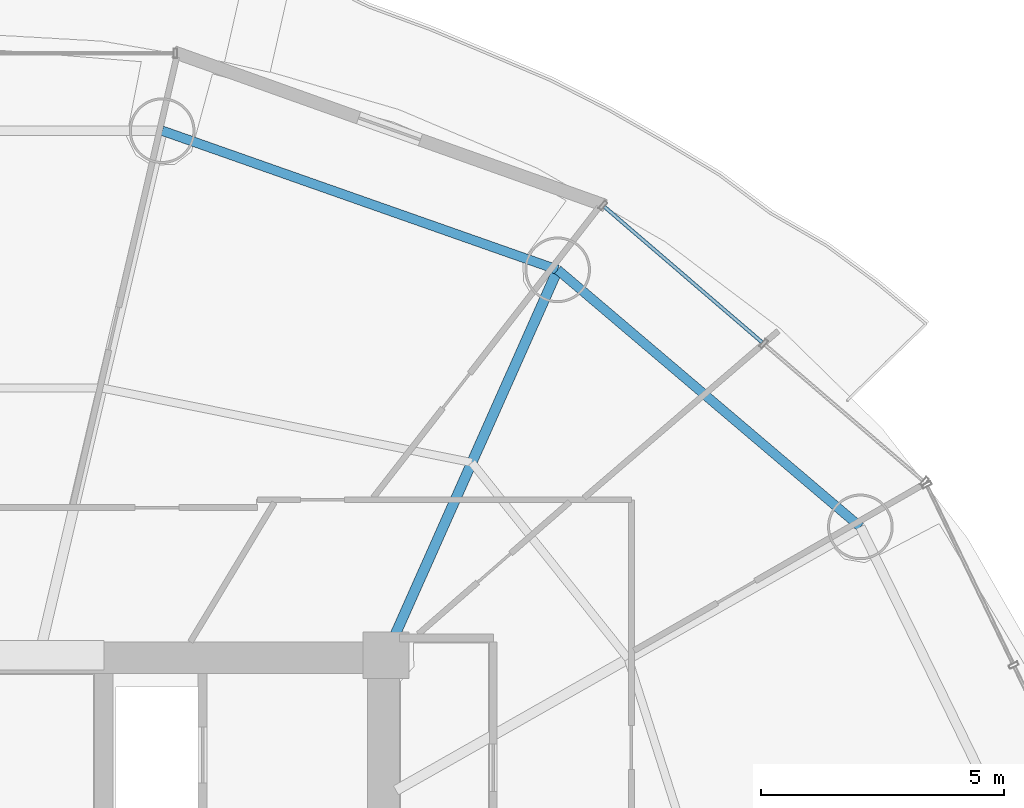
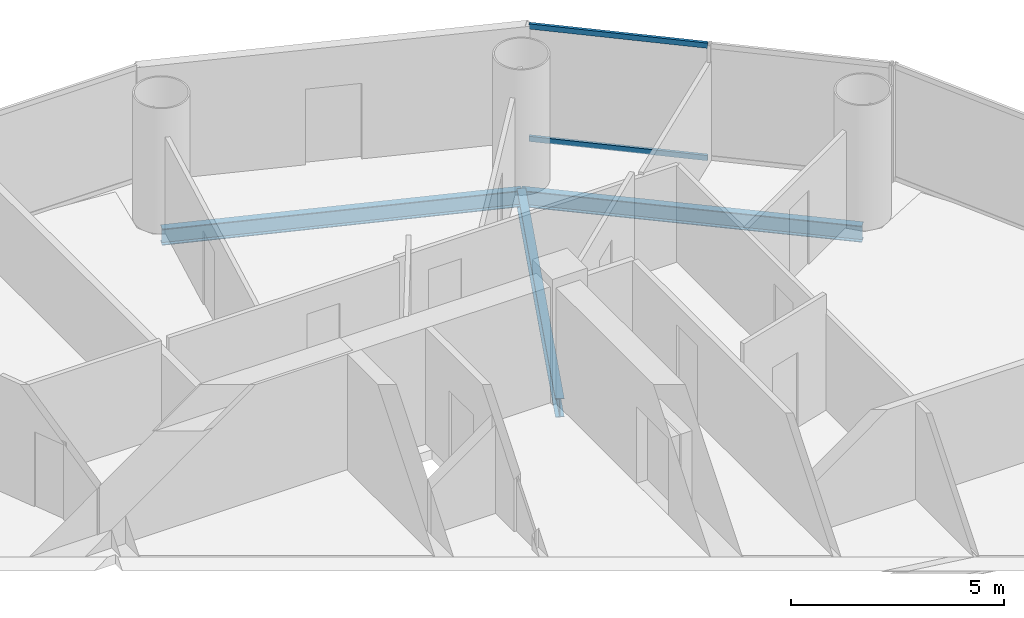
# One storey, part 18 of 27: 3 beams, 2 members, 1 element without a shape of its own.
"""IFC4 building model written with IfcOpenShell, lengths in metres."""

from ifc_helpers import new_model, si_unit, direction, frame, origin, origin_2d, place, context, subcontext, project, spatial, hollow_rectangle, i_section, extrude, source, transform, mapped, material, material_profile, profile_set, type_object, element, aggregate, save


model = new_model("IFC4")

# Units and contexts
model_context = context("Model", 3, precision=1e-05, world=origin(), true_north=direction((-0.2419218956, 0.970295726276)))
body_context = subcontext(model_context, "Body", "Model", "MODEL_VIEW")
ifc_project = project(units=[si_unit("LENGTHUNIT", "METRE"), si_unit("AREAUNIT", "SQUARE_METRE"), si_unit("VOLUMEUNIT", "CUBIC_METRE"), si_unit("PLANEANGLEUNIT", "RADIAN"), si_unit("MASSUNIT", "GRAM", prefix="KILO")], contexts=[model_context])

# Site, building, storey
site_placement = place(None, origin())
site = spatial("IfcSite", under=ifc_project, at=site_placement, CompositionType="ELEMENT")
building_placement = place(site_placement, origin())
building = spatial("IfcBuilding", under=site, at=building_placement, Name="Cobrevalo Terracotta Tower", CompositionType="ELEMENT")
storey_placement = place(building_placement, frame((0.0, 0.0, 160.60009765625)))
storey = spatial("IfcBuildingStorey", under=building, at=storey_placement, Name="L42", CompositionType="ELEMENT", Elevation=160.60009765625)

# Beams
ifc_material_1 = material(Name="Steel S355", Category="steel")
ifc_material_profile_1 = material_profile(ifc_material_1, i_section(OverallWidth=0.2109375, OverallDepth=0.5390625, WebThickness=0.01171875, FlangeThickness=0.018798828125, at=origin_2d()), Name="W 530x109")
ifc_profile_set_1 = profile_set([ifc_material_profile_1], Name="Steel S355")
beam_type_1 = type_object("IfcBeamType", Name="Structural Beam W 530x109 (Steel S355)", PredefinedType="BEAM", material=ifc_profile_set_1)
beam_1_placement = place(storey_placement, frame((50.528076171875, 42.72265625, -0.53955078125), z_axis=(-0.406804395691, -0.913515289224, 0.0), x_axis=(0.913515289224, -0.406804395691, 0.0)))
element("IfcBeam", 1, at=beam_1_placement, inside=storey, type_object=beam_type_1, Name="L42 radial floor girder 03", PredefinedType="BEAM", context=body_context, shape_type="SweptSolid", body=[
    extrude(i_section(OverallWidth=0.2109375, OverallDepth=0.5390625, WebThickness=0.01171875, FlangeThickness=0.018798828125, at=origin_2d()), origin(), (0.0, 0.0, 1.0), 8.672607421875),
])
ifc_material_profile_2 = material_profile(ifc_material_1, i_section(OverallWidth=0.194091796875, OverallDepth=0.468994140625, WebThickness=0.011474609375, FlangeThickness=0.0205078125, at=origin_2d()), Name="W 460x106")
ifc_profile_set_2 = profile_set([ifc_material_profile_2], Name="Steel S355")
beam_type_2 = type_object("IfcBeamType", Name="Structural Spandrel W 460x106 (Steel S355)", PredefinedType="SPANDREL", material=ifc_profile_set_2)
beam_2_placement = place(storey_placement, frame((56.749755859375, 37.439208984375, -0.504638671875), z_axis=(-0.762240337798, 0.647294112003, 0.0), x_axis=(-0.647294112003, -0.762240337798, 0.0)))
element("IfcBeam", 2, at=beam_2_placement, inside=storey, type_object=beam_type_2, Name="L42 perimeter ring spandrel 02", PredefinedType="SPANDREL", context=body_context, shape_type="SweptSolid", body=[
    extrude(i_section(OverallWidth=0.194091796875, OverallDepth=0.468994140625, WebThickness=0.011474609375, FlangeThickness=0.0205078125, at=origin_2d()), origin(), (0.0, 0.0, 1.0), 8.162353515625),
])
beam_3_placement = place(storey_placement, frame((50.528076171875, 42.72265625, -0.504638671875), z_axis=(-0.943341298492, 0.331824041565, 0.0), x_axis=(-0.331824041565, -0.943341298492, 0.0)))
element("IfcBeam", 3, at=beam_3_placement, inside=storey, type_object=beam_type_2, Name="L42 perimeter ring spandrel 03", PredefinedType="SPANDREL", context=body_context, shape_type="SweptSolid", body=[
    extrude(i_section(OverallWidth=0.194091796875, OverallDepth=0.468994140625, WebThickness=0.011474609375, FlangeThickness=0.0205078125, at=origin_2d()), origin(), (0.0, 0.0, 1.0), 8.6171875),
])

# Curtain wall, members
ifc_material_2 = material(Name="Anodized aluminium", Category="aluminium")
curtain_wall_type = type_object("IfcCurtainWallType", Name="Mid-tower high-wind unitised curtain wall CW-U2", PredefinedType="NOTDEFINED", material=ifc_material_2)
curtain_wall_placement = place(storey_placement, origin())
curtain_wall = element("IfcCurtainWall", 4, at=curtain_wall_placement, inside=storey, type_object=curtain_wall_type, Name="L42 curtain wall CW-L42-S02", PredefinedType="NOTDEFINED")
ifc_material_profile_3 = material_profile(ifc_material_2, hollow_rectangle(XDim=0.074951171875, YDim=0.14990234375, WallThickness=0.00439453125, at=origin_2d()), Name="CWT 75x150")
ifc_profile_set_3 = profile_set([ifc_material_profile_3], Name="Anodized aluminium")
member_type = type_object("IfcMemberType", Name="Tower unitised aluminium transom 75x150", PredefinedType="USERDEFINED", material=ifc_profile_set_3)
shared_shape = source(origin(), body_context, "Body", "SweptSolid", [
    extrude(hollow_rectangle(XDim=0.074951171875, YDim=0.14990234375, WallThickness=0.00439453125, at=origin_2d()), origin(), (0.0, 0.0, 1.0), 4.276123046875),
])
member_1_placement = place(storey_placement, frame((54.73193359375, 41.23046875, 0.0498046875), z_axis=(-0.758417719247, 0.651768795764, 0.0), x_axis=(-0.651768795764, -0.758417719247, 0.0)))
member_1 = element("IfcMember", 5, at=member_1_placement, type_object=member_type, Name="CW-L42-S02 transom B02-T1", ObjectType="TRANSOM", PredefinedType="USERDEFINED", context=body_context, shape_type="MappedRepresentation", body=[
    mapped(shared_shape, transform((0.0, 0.0, 0.0), scale=1.0)),
])
member_2_placement = place(storey_placement, frame((54.73193359375, 41.23046875, 3.27978515625), z_axis=(-0.758417719247, 0.651768795764, 0.0), x_axis=(-0.651768795764, -0.758417719247, 0.0)))
member_2 = element("IfcMember", 6, at=member_2_placement, type_object=member_type, Name="CW-L42-S02 transom B02-T2", ObjectType="TRANSOM", PredefinedType="USERDEFINED", context=body_context, shape_type="MappedRepresentation", body=[
    mapped(shared_shape, transform((0.0, 0.0, 0.0), scale=1.0)),
])
aggregate(curtain_wall, [member_1, member_2])

save(model, "model.ifc")
